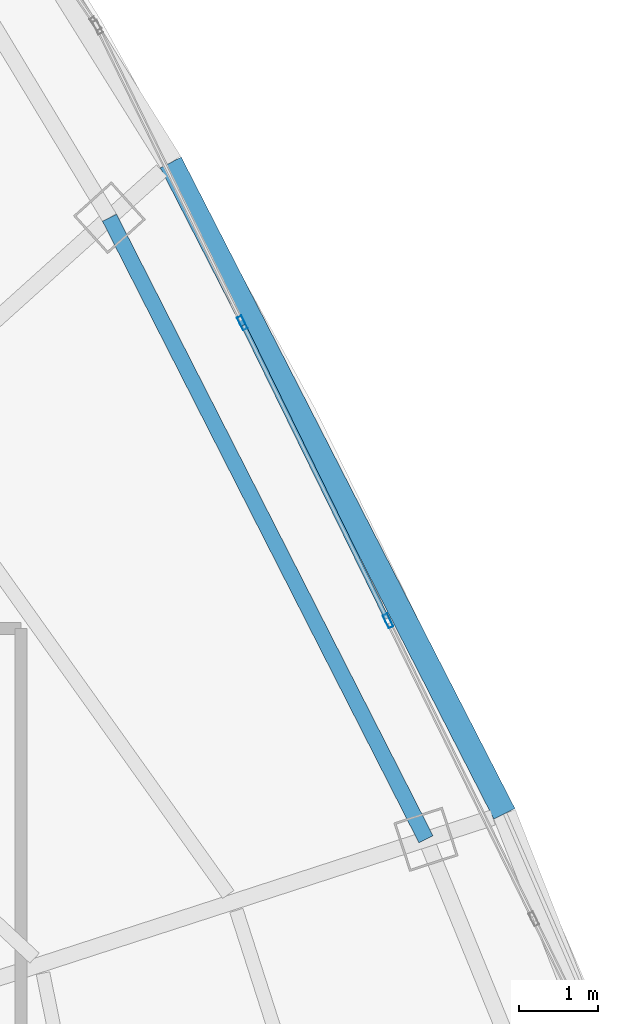
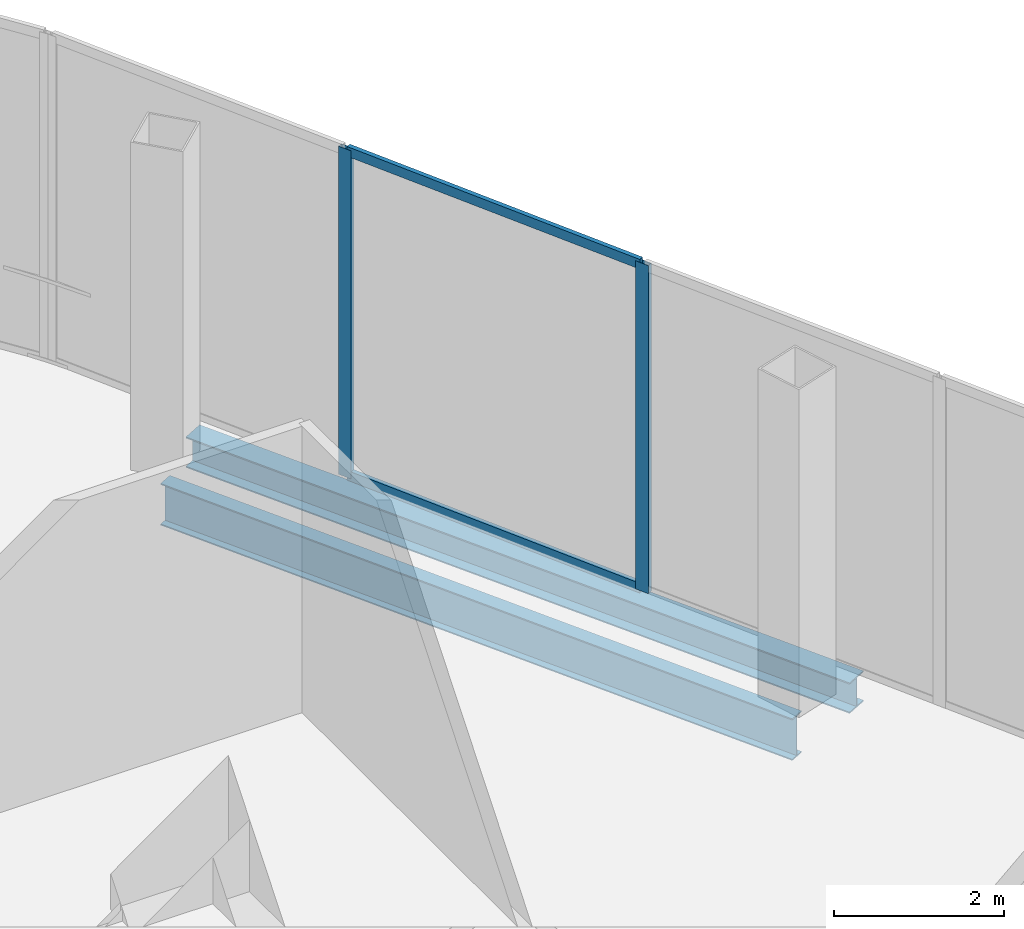
# One storey, part 20 of 33: 4 members, 2 beams, 1 element without a shape of its own.
"""IFC4 building model written with IfcOpenShell, lengths in metres."""

from ifc_helpers import new_model, si_unit, direction, frame, origin, origin_2d, place, context, subcontext, project, spatial, hollow_rectangle, i_section, extrude, source, transform, mapped, material, layer, layer_set, material_profile, profile_set, type_object, element, aggregate, save


model = new_model("IFC4")

# Units and contexts
model_context = context("Model", 3, precision=1e-05, world=origin(), true_north=direction((0.0, 1.0)))
body_context = subcontext(model_context, "Body", "Model", "MODEL_VIEW")
ifc_project = project(units=[si_unit("LENGTHUNIT", "METRE"), si_unit("AREAUNIT", "SQUARE_METRE"), si_unit("VOLUMEUNIT", "CUBIC_METRE"), si_unit("PLANEANGLEUNIT", "RADIAN"), si_unit("MASSUNIT", "GRAM", prefix="KILO"), si_unit("THERMODYNAMICTEMPERATUREUNIT", "KELVIN"), si_unit("POWERUNIT", "WATT")], contexts=[model_context])

# Site, building, storey
site_placement = place(None, origin())
site = spatial("IfcSite", under=ifc_project, at=site_placement, CompositionType="ELEMENT")
building_placement = place(site_placement, origin())
building = spatial("IfcBuilding", under=site, at=building_placement, Name="Yunzhuo Pagoda Commons", CompositionType="ELEMENT")
storey_placement = place(building_placement, frame((0.0, 0.0, 391.760009765625)))
storey = spatial("IfcBuildingStorey", under=building, at=storey_placement, Name="L97", CompositionType="ELEMENT", Elevation=391.760009765625)

# Beams
ifc_material_1 = material(Name="Structural steel Q355B", Category="steel")
ifc_material_profile_1 = material_profile(ifc_material_1, i_section(OverallWidth=0.199951171875, OverallDepth=0.60009765625, WebThickness=0.010986328125, FlangeThickness=0.01708984375, at=origin_2d()), Name="Structural steel Q355B")
ifc_profile_set_1 = profile_set([ifc_material_profile_1], Name="Structural steel Q355B")
beam_type_1 = type_object("IfcBeamType", Name="B-RG3 Beam HN 600x200x11x17", PredefinedType="BEAM", material=ifc_profile_set_1)
shared_shape_1 = source(origin(), body_context, "Body", "SweptSolid", [
    extrude(i_section(OverallWidth=0.199951171875, OverallDepth=0.60009765625, WebThickness=0.010986328125, FlangeThickness=0.01708984375, at=origin_2d()), origin(), (0.0, 0.0, 1.0), 8.87939453125),
])
beam_1_placement = place(storey_placement, frame((68.053466796875, 40.2158203125, -0.580078125), z_axis=(-0.453723535687, 0.891142498798, 0.0), x_axis=(-0.891142498798, -0.453723535687, 0.0)))
element("IfcBeam", 1, at=beam_1_placement, inside=storey, type_object=beam_type_1, Name="L97 column-ring beam 6", PredefinedType="BEAM", context=body_context, shape_type="MappedRepresentation", body=[
    mapped(shared_shape_1, transform((0.0, 0.0, 0.0), scale=1.0)),
])
ifc_material_profile_2 = material_profile(ifc_material_1, i_section(OverallWidth=0.300048828125, OverallDepth=0.43994140625, WebThickness=0.010986328125, FlangeThickness=0.01806640625, at=origin_2d()), Name="Structural steel Q355B")
ifc_profile_set_2 = profile_set([ifc_material_profile_2], Name="Structural steel Q355B")
beam_type_2 = type_object("IfcBeamType", Name="B-SP2 Beam HM 440x300x11x18", PredefinedType="BEAM", material=ifc_profile_set_2)
shared_shape_2 = source(origin(), body_context, "Body", "SweptSolid", [
    extrude(i_section(OverallWidth=0.300048828125, OverallDepth=0.43994140625, WebThickness=0.010986328125, FlangeThickness=0.01806640625, at=origin_2d()), origin(), (0.0, 0.0, 1.0), 9.3154296875),
])
beam_2_placement = place(storey_placement, frame((69.052001953125, 40.540283203125, -0.5), z_axis=(-0.455914353887, 0.89002365245, 0.0), x_axis=(-0.89002365245, -0.455914353887, 0.0)))
element("IfcBeam", 2, at=beam_2_placement, inside=storey, type_object=beam_type_2, Name="L97 facade edge spandrel beam F2.2", PredefinedType="BEAM", context=body_context, shape_type="MappedRepresentation", body=[
    mapped(shared_shape_2, transform((0.0, 0.0, 0.0), scale=1.0)),
])

# Curtain wall, members
ifc_material_2 = material(Name="Anodized aluminium 6063-T6", Category="aluminium")
ifc_layer = layer(ifc_material_2, 0.179931640625)
ifc_layer_set = layer_set([ifc_layer], Name="Anodized aluminium 6063-T6")
curtain_wall_type = type_object("IfcCurtainWallType", Name="CW-CRN Crown Gable Glazing System", PredefinedType="NOTDEFINED", material=ifc_layer_set)
curtain_wall_placement = place(storey_placement, origin())
curtain_wall = element("IfcCurtainWall", 3, at=curtain_wall_placement, inside=storey, type_object=curtain_wall_type, Name="L97 curtain wall CW-L97-CRNF2G1", PredefinedType="NOTDEFINED")
ifc_material_profile_3 = material_profile(ifc_material_2, hollow_rectangle(XDim=0.06494140625, YDim=0.179931640625, WallThickness=0.00390625, at=origin_2d()), Name="Anodized aluminium 6063-T6")
ifc_profile_set_3 = profile_set([ifc_material_profile_3], Name="Anodized aluminium 6063-T6")
member_type_1 = type_object("IfcMemberType", Name="CW-CRN-M Mullion RHS 180x65x4", PredefinedType="MULLION", material=ifc_profile_set_3)
shared_shape_3 = source(origin(), body_context, "Body", "SweptSolid", [
    extrude(hollow_rectangle(XDim=0.06494140625, YDim=0.179931640625, WallThickness=0.00390625, at=origin_2d()), origin(), (0.0, 0.0, 1.0), 4.72021484375),
])
member_1_placement = place(storey_placement, frame((67.570556640625, 42.995849609375, 0.0), z_axis=(0.0, 0.0, 1.0), x_axis=(-0.898299261226, -0.439384156839, 0.0)))
member_1 = element("IfcMember", 4, at=member_1_placement, type_object=member_type_1, Name="CW mullion 3", PredefinedType="MULLION", context=body_context, shape_type="MappedRepresentation", body=[
    mapped(shared_shape_3, transform((0.0, 0.0, 0.0), scale=1.0)),
])
member_2_placement = place(storey_placement, frame((65.71484375, 46.789306640625, 0.0), z_axis=(0.0, 0.0, 1.0), x_axis=(-0.898299261226, -0.439384156839, 0.0)))
member_2 = element("IfcMember", 5, at=member_2_placement, type_object=member_type_1, Name="CW mullion 4", PredefinedType="MULLION", context=body_context, shape_type="MappedRepresentation", body=[
    mapped(shared_shape_3, transform((0.0, 0.0, 0.0), scale=1.0)),
])
ifc_material_profile_4 = material_profile(ifc_material_2, hollow_rectangle(XDim=0.06005859375, YDim=0.139892578125, WallThickness=0.00341796875, at=origin_2d()), Name="Anodized aluminium 6063-T6")
ifc_profile_set_4 = profile_set([ifc_material_profile_4], Name="Anodized aluminium 6063-T6")
member_type_2 = type_object("IfcMemberType", Name="CW-CRN-T Transom RHS 140x60x3.5", PredefinedType="USERDEFINED", material=ifc_profile_set_4)
shared_shape_4 = source(origin(), body_context, "Body", "SweptSolid", [
    extrude(hollow_rectangle(XDim=0.06005859375, YDim=0.139892578125, WallThickness=0.00341796875, at=origin_2d()), origin(), (0.0, 0.0, 1.0), 4.157470703125),
])
member_3_placement = place(storey_placement, frame((67.55615234375, 43.025390625, 0.030029296875), z_axis=(-0.439421816361, 0.898280839886, 0.0), x_axis=(-0.898280839886, -0.439421816361, 0.0)))
member_3 = element("IfcMember", 6, at=member_3_placement, type_object=member_type_2, Name="CW transom 3.1", ObjectType="TRANSOM", PredefinedType="USERDEFINED", context=body_context, shape_type="MappedRepresentation", body=[
    mapped(shared_shape_4, transform((0.0, 0.0, 0.0), scale=1.0)),
])
member_4_placement = place(storey_placement, frame((67.55615234375, 43.025390625, 4.68994140625), z_axis=(-0.439421816361, 0.898280839886, 0.0), x_axis=(-0.898280839886, -0.439421816361, 0.0)))
member_4 = element("IfcMember", 7, at=member_4_placement, type_object=member_type_2, Name="CW transom 3.2", ObjectType="TRANSOM", PredefinedType="USERDEFINED", context=body_context, shape_type="MappedRepresentation", body=[
    mapped(shared_shape_4, transform((0.0, 0.0, 0.0), scale=1.0)),
])
aggregate(curtain_wall, [member_1, member_2, member_3, member_4])

save(model, "model.ifc")
